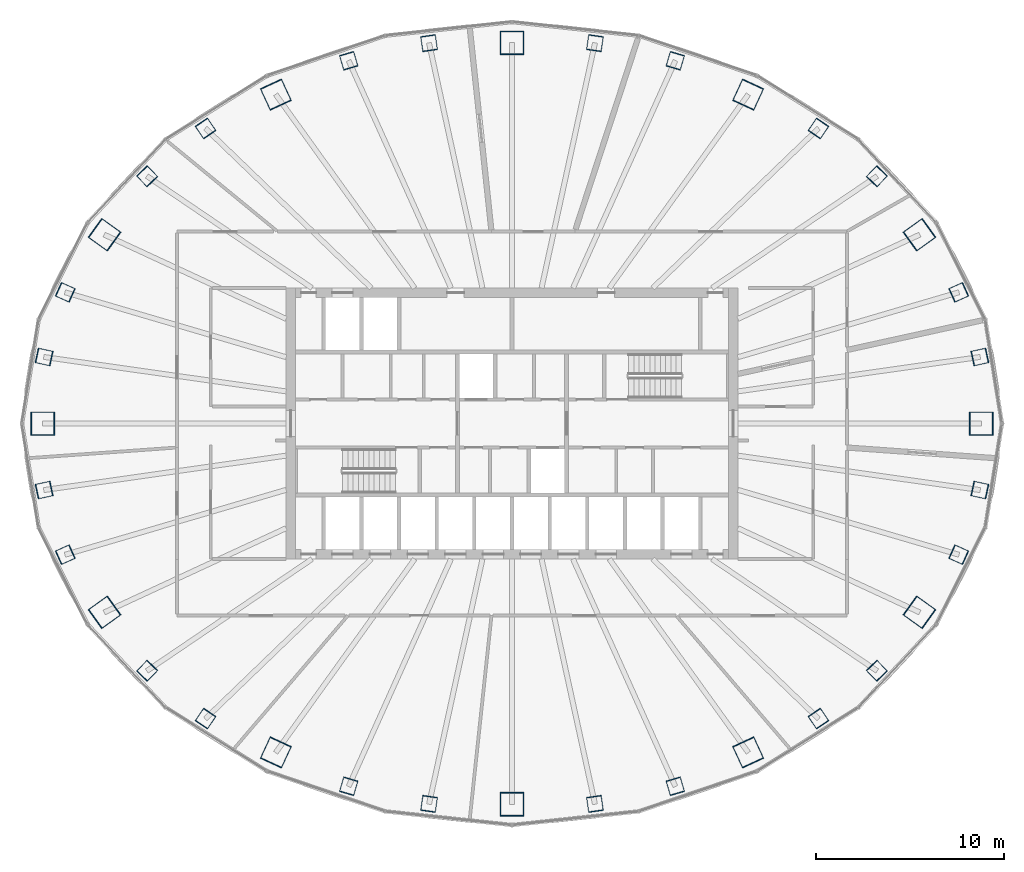
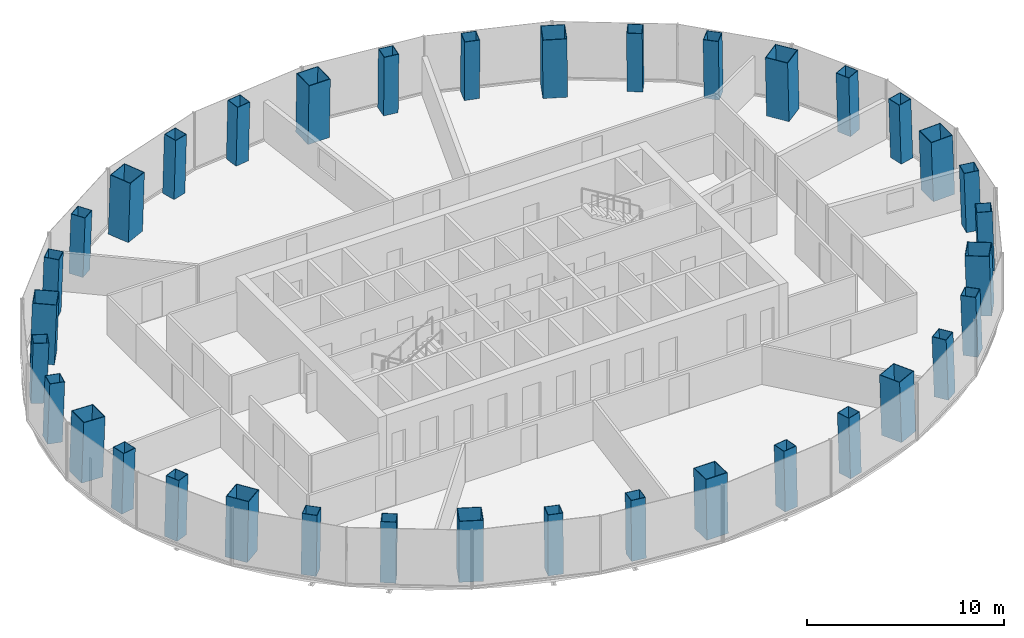
# One storey, part 1 of 12: 36 columns.
"""IFC4 building model written with IfcOpenShell, lengths in metres."""

from ifc_helpers import new_model, si_unit, direction, frame, origin, origin_2d, place, context, subcontext, project, spatial, hollow_rectangle, extrude, material, material_profile, profile_set, type_object, element, save


model = new_model("IFC4")

# Units and contexts
model_context = context("Model", 3, precision=1e-05, world=origin(), true_north=direction((0.0, 1.0)))
body_context = subcontext(model_context, "Body", "Model", "MODEL_VIEW")
ifc_project = project(units=[si_unit("LENGTHUNIT", "METRE"), si_unit("AREAUNIT", "SQUARE_METRE"), si_unit("VOLUMEUNIT", "CUBIC_METRE"), si_unit("PLANEANGLEUNIT", "RADIAN"), si_unit("MASSUNIT", "GRAM", prefix="KILO")], contexts=[model_context])

# Site, building, storey
site_placement = place(None, origin())
site = spatial("IfcSite", under=ifc_project, at=site_placement, CompositionType="ELEMENT")
building_placement = place(site_placement, origin())
building = spatial("IfcBuilding", under=site, at=building_placement, Name="Siaravel Broadcast Tower", CompositionType="ELEMENT")
storey_placement = place(building_placement, frame((0.0, 0.0, 100.800048828125)))
storey = spatial("IfcBuildingStorey", under=building, at=storey_placement, Name="L23", CompositionType="ELEMENT", Elevation=100.800048828125)

# Columns
ifc_material = material(Name="Concrete C60/75", Category="concrete")
ifc_material_profile_1 = material_profile(ifc_material, hollow_rectangle(XDim=1.25, YDim=1.25, WallThickness=0.031982421875, at=origin_2d()))
ifc_profile_set_1 = profile_set([ifc_material_profile_1], Name="Concrete C60/75")
column_type_1 = type_object("IfcColumnType", Name="COL-CFT BOX 1250x1250x32", PredefinedType="COLUMN", material=ifc_profile_set_1)
column_1_placement = place(storey_placement, frame((24.95361328125, 0.0, 0.0), z_axis=(-0.034621265, 0.0, 0.999400504), x_axis=(0.0, -1.0, 0.0)))
element("IfcColumn", 1, at=column_1_placement, inside=storey, type_object=column_type_1, Name="Megacolumn MC01", PredefinedType="COLUMN", context=body_context, shape_type="SweptSolid", body=[
    extrude(hollow_rectangle(XDim=1.25, YDim=1.25, WallThickness=0.031982421875, at=origin_2d()), origin(), (0.0, 0.0, 1.0), 3.7021484375),
])
column_2_placement = place(storey_placement, frame((21.663818359375, 10.03662109375, 0.0), z_axis=(-0.029940667, -0.01417895, 0.999451106), x_axis=(0.582895903, -0.812525165, 0.005934796)))
element("IfcColumn", 2, at=column_2_placement, inside=storey, type_object=column_type_1, Name="Megacolumn MC02", PredefinedType="COLUMN", context=body_context, shape_type="SweptSolid", body=[
    extrude(hollow_rectangle(XDim=1.25, YDim=1.25, WallThickness=0.031982421875, at=origin_2d()), origin(), (0.0, 0.0, 1.0), 3.701904296875),
])
column_3_placement = place(storey_placement, frame((12.556396484375, 17.4873046875, 0.0), z_axis=(-0.017280237, -0.024535299, 0.999549605), x_axis=(0.907825373, -0.41931362, 0.005401886)))
element("IfcColumn", 3, at=column_3_placement, inside=storey, type_object=column_type_1, Name="Megacolumn MC03", PredefinedType="COLUMN", context=body_context, shape_type="SweptSolid", body=[
    extrude(hollow_rectangle(XDim=1.25, YDim=1.25, WallThickness=0.031982421875, at=origin_2d()), origin(), (0.0, 0.0, 1.0), 3.70166015625),
])
column_4_placement = place(storey_placement, frame((0.0, 20.24072265625, 0.0), z_axis=(0.0, -0.028296154, 0.999599584), x_axis=(1.0, 0.0, 0.0)))
element("IfcColumn", 4, at=column_4_placement, inside=storey, type_object=column_type_1, Name="Megacolumn MC04", PredefinedType="COLUMN", context=body_context, shape_type="SweptSolid", body=[
    extrude(hollow_rectangle(XDim=1.25, YDim=1.25, WallThickness=0.031982421875, at=origin_2d()), origin(), (0.0, 0.0, 1.0), 3.701416015625),
])
column_5_placement = place(storey_placement, frame((-12.556396484375, 17.4873046875, 0.0), z_axis=(0.017280237, -0.024535299, 0.999549605), x_axis=(0.907825373, 0.41931362, -0.005401886)))
element("IfcColumn", 5, at=column_5_placement, inside=storey, type_object=column_type_1, Name="Megacolumn MC05", PredefinedType="COLUMN", context=body_context, shape_type="SweptSolid", body=[
    extrude(hollow_rectangle(XDim=1.25, YDim=1.25, WallThickness=0.031982421875, at=origin_2d()), origin(), (0.0, 0.0, 1.0), 3.70166015625),
])
column_6_placement = place(storey_placement, frame((-21.663818359375, 10.03662109375, 0.0), z_axis=(0.029940667, -0.01417895, 0.999451106), x_axis=(0.582895903, 0.812525165, -0.005934796)))
element("IfcColumn", 6, at=column_6_placement, inside=storey, type_object=column_type_1, Name="Megacolumn MC06", PredefinedType="COLUMN", context=body_context, shape_type="SweptSolid", body=[
    extrude(hollow_rectangle(XDim=1.25, YDim=1.25, WallThickness=0.031982421875, at=origin_2d()), origin(), (0.0, 0.0, 1.0), 3.701904296875),
])
column_7_placement = place(storey_placement, frame((-24.95361328125, 0.0, 0.0), z_axis=(0.034621265, 0.0, 0.999400504), x_axis=(0.0, 1.0, 0.0)))
element("IfcColumn", 7, at=column_7_placement, inside=storey, type_object=column_type_1, Name="Megacolumn MC07", PredefinedType="COLUMN", context=body_context, shape_type="SweptSolid", body=[
    extrude(hollow_rectangle(XDim=1.25, YDim=1.25, WallThickness=0.031982421875, at=origin_2d()), origin(), (0.0, 0.0, 1.0), 3.7021484375),
])
column_8_placement = place(storey_placement, frame((-21.663818359375, -10.03662109375, 0.0), z_axis=(0.029940667, 0.01417895, 0.999451106), x_axis=(-0.582895903, 0.812525165, 0.005934796)))
element("IfcColumn", 8, at=column_8_placement, inside=storey, type_object=column_type_1, Name="Megacolumn MC08", PredefinedType="COLUMN", context=body_context, shape_type="SweptSolid", body=[
    extrude(hollow_rectangle(XDim=1.25, YDim=1.25, WallThickness=0.031982421875, at=origin_2d()), origin(), (0.0, 0.0, 1.0), 3.701904296875),
])
column_9_placement = place(storey_placement, frame((-12.556396484375, -17.4873046875, 0.0), z_axis=(0.017280237, 0.024535299, 0.999549605), x_axis=(-0.907825373, 0.41931362, 0.005401886)))
element("IfcColumn", 9, at=column_9_placement, inside=storey, type_object=column_type_1, Name="Megacolumn MC09", PredefinedType="COLUMN", context=body_context, shape_type="SweptSolid", body=[
    extrude(hollow_rectangle(XDim=1.25, YDim=1.25, WallThickness=0.031982421875, at=origin_2d()), origin(), (0.0, 0.0, 1.0), 3.70166015625),
])
column_10_placement = place(storey_placement, frame((0.0, -20.24072265625, 0.0), z_axis=(0.0, 0.028296154, 0.999599584), x_axis=(-1.0, 0.0, 0.0)))
element("IfcColumn", 10, at=column_10_placement, inside=storey, type_object=column_type_1, Name="Megacolumn MC10", PredefinedType="COLUMN", context=body_context, shape_type="SweptSolid", body=[
    extrude(hollow_rectangle(XDim=1.25, YDim=1.25, WallThickness=0.031982421875, at=origin_2d()), origin(), (0.0, 0.0, 1.0), 3.701416015625),
])
column_11_placement = place(storey_placement, frame((12.556396484375, -17.4873046875, 0.0), z_axis=(-0.017280237, 0.024535299, 0.999549605), x_axis=(-0.907825373, -0.41931362, -0.005401886)))
element("IfcColumn", 11, at=column_11_placement, inside=storey, type_object=column_type_1, Name="Megacolumn MC11", PredefinedType="COLUMN", context=body_context, shape_type="SweptSolid", body=[
    extrude(hollow_rectangle(XDim=1.25, YDim=1.25, WallThickness=0.031982421875, at=origin_2d()), origin(), (0.0, 0.0, 1.0), 3.70166015625),
])
column_12_placement = place(storey_placement, frame((21.663818359375, -10.03662109375, 0.0), z_axis=(-0.029940667, 0.01417895, 0.999451106), x_axis=(-0.582895903, -0.812525165, -0.005934796)))
element("IfcColumn", 12, at=column_12_placement, inside=storey, type_object=column_type_1, Name="Megacolumn MC12", PredefinedType="COLUMN", context=body_context, shape_type="SweptSolid", body=[
    extrude(hollow_rectangle(XDim=1.25, YDim=1.25, WallThickness=0.031982421875, at=origin_2d()), origin(), (0.0, 0.0, 1.0), 3.701904296875),
])
ifc_material_profile_2 = material_profile(ifc_material, hollow_rectangle(XDim=0.800048828125, YDim=0.800048828125, WallThickness=0.02490234375, at=origin_2d()))
ifc_profile_set_2 = profile_set([ifc_material_profile_2], Name="Concrete C60/75")
column_type_2 = type_object("IfcColumnType", Name="COL-CFT BOX 800x800x25", PredefinedType="COLUMN", material=ifc_profile_set_2)
for number, where, z_axis, x_axis, name in (
    (13, (24.87548828125, 3.537353515625, 0.0), (-0.034028045, -0.004879991, 0.999408964), (0.211559616, -0.977362072, 0.002430879), "Perimeter column C01"),
    (14, (23.751220703125, 6.97412109375, 0.0), (-0.032511791, -0.009694185, 0.999424337), (0.409806125, -0.91216163, 0.004483448), "Perimeter column C02"),
):
    element("IfcColumn", number, at=place(storey_placement, frame(where, z_axis=z_axis, x_axis=x_axis)), inside=storey, type_object=column_type_2, Name=name, PredefinedType="COLUMN", context=body_context, shape_type="SweptSolid", body=[
        extrude(hollow_rectangle(XDim=0.800048828125, YDim=0.800048828125, WallThickness=0.02490234375, at=origin_2d()), origin(), (0.0, 0.0, 1.0), 3.7021484375),
    ])
column_13_placement = place(storey_placement, frame((19.3994140625, 13.14501953125, 0.0), z_axis=(-0.026512179, -0.018202391, 0.999482755), x_axis=(0.719753777, -0.69419947, 0.006449486)))
element("IfcColumn", 15, at=column_13_placement, inside=storey, type_object=column_type_2, Name="Perimeter column C03", PredefinedType="COLUMN", context=body_context, shape_type="SweptSolid", body=[
    extrude(hollow_rectangle(XDim=0.800048828125, YDim=0.800048828125, WallThickness=0.02490234375, at=origin_2d()), origin(), (0.0, 0.0, 1.0), 3.701904296875),
])
column_14_placement = place(storey_placement, frame((16.293701171875, 15.688720703125, 0.0), z_axis=(-0.022226156, -0.021698532, 0.999517469), x_axis=(0.827930298, -0.560796336, 0.00623626)))
element("IfcColumn", 16, at=column_14_placement, inside=storey, type_object=column_type_2, Name="Perimeter column C04", PredefinedType="COLUMN", context=body_context, shape_type="SweptSolid", body=[
    extrude(hollow_rectangle(XDim=0.800048828125, YDim=0.800048828125, WallThickness=0.02490234375, at=origin_2d()), origin(), (0.0, 0.0, 1.0), 3.70166015625),
])
for number, where, z_axis, x_axis, name in (
    (17, (8.682373046875, 19.287109375, 0.0), (-0.011872213, -0.026646524, 0.999574416), (0.959384038, -0.282076674, 0.003875299), "Perimeter column C05"),
    (18, (4.409912109375, 20.224853515625, 0.0), (-0.006068129, -0.027900201, 0.999592295), (0.989798926, -0.14245685, 0.002032481), "Perimeter column C06"),
    (19, (-4.409912109375, 20.224853515625, 0.0), (0.006068129, -0.027900201, 0.999592295), (0.989798926, 0.14245685, -0.002032481), "Perimeter column C07"),
    (20, (-8.682373046875, 19.287109375, 0.0), (0.011872213, -0.026646524, 0.999574416), (0.959384038, 0.282076674, -0.003875299), "Perimeter column C08"),
):
    element("IfcColumn", number, at=place(storey_placement, frame(where, z_axis=z_axis, x_axis=x_axis)), inside=storey, type_object=column_type_2, Name=name, PredefinedType="COLUMN", context=body_context, shape_type="SweptSolid", body=[
        extrude(hollow_rectangle(XDim=0.800048828125, YDim=0.800048828125, WallThickness=0.02490234375, at=origin_2d()), origin(), (0.0, 0.0, 1.0), 3.701416015625),
    ])
column_15_placement = place(storey_placement, frame((-16.293701171875, 15.688720703125, 0.0), z_axis=(0.022226156, -0.021698532, 0.999517469), x_axis=(0.827930298, 0.560796336, -0.00623626)))
element("IfcColumn", 21, at=column_15_placement, inside=storey, type_object=column_type_2, Name="Perimeter column C09", PredefinedType="COLUMN", context=body_context, shape_type="SweptSolid", body=[
    extrude(hollow_rectangle(XDim=0.800048828125, YDim=0.800048828125, WallThickness=0.02490234375, at=origin_2d()), origin(), (0.0, 0.0, 1.0), 3.70166015625),
])
column_16_placement = place(storey_placement, frame((-19.3994140625, 13.14501953125, 0.0), z_axis=(0.026512179, -0.018202391, 0.999482755), x_axis=(0.719753777, 0.69419947, -0.006449486)))
element("IfcColumn", 22, at=column_16_placement, inside=storey, type_object=column_type_2, Name="Perimeter column C10", PredefinedType="COLUMN", context=body_context, shape_type="SweptSolid", body=[
    extrude(hollow_rectangle(XDim=0.800048828125, YDim=0.800048828125, WallThickness=0.02490234375, at=origin_2d()), origin(), (0.0, 0.0, 1.0), 3.701904296875),
])
for number, where, z_axis, x_axis, name in (
    (23, (-23.751220703125, 6.97412109375, 0.0), (0.032511791, -0.009694185, 0.999424337), (0.409806125, 0.91216163, -0.004483448), "Perimeter column C11"),
    (24, (-24.87548828125, 3.537353515625, 0.0), (0.034028045, -0.004879991, 0.999408964), (0.211559616, 0.977362072, -0.002430879), "Perimeter column C12"),
    (25, (-24.87548828125, -3.537353515625, 0.0), (0.034028045, 0.004879991, 0.999408964), (-0.211559616, 0.977362072, 0.002430879), "Perimeter column C13"),
    (26, (-23.751220703125, -6.97412109375, 0.0), (0.032511791, 0.009694185, 0.999424337), (-0.409806125, 0.91216163, 0.004483448), "Perimeter column C14"),
):
    element("IfcColumn", number, at=place(storey_placement, frame(where, z_axis=z_axis, x_axis=x_axis)), inside=storey, type_object=column_type_2, Name=name, PredefinedType="COLUMN", context=body_context, shape_type="SweptSolid", body=[
        extrude(hollow_rectangle(XDim=0.800048828125, YDim=0.800048828125, WallThickness=0.02490234375, at=origin_2d()), origin(), (0.0, 0.0, 1.0), 3.7021484375),
    ])
column_17_placement = place(storey_placement, frame((-19.3994140625, -13.14501953125, 0.0), z_axis=(0.026512179, 0.018202391, 0.999482755), x_axis=(-0.719753777, 0.69419947, 0.006449486)))
element("IfcColumn", 27, at=column_17_placement, inside=storey, type_object=column_type_2, Name="Perimeter column C15", PredefinedType="COLUMN", context=body_context, shape_type="SweptSolid", body=[
    extrude(hollow_rectangle(XDim=0.800048828125, YDim=0.800048828125, WallThickness=0.02490234375, at=origin_2d()), origin(), (0.0, 0.0, 1.0), 3.701904296875),
])
column_18_placement = place(storey_placement, frame((-16.293701171875, -15.688720703125, 0.0), z_axis=(0.022226156, 0.021698532, 0.999517469), x_axis=(-0.827930298, 0.560796336, 0.00623626)))
element("IfcColumn", 28, at=column_18_placement, inside=storey, type_object=column_type_2, Name="Perimeter column C16", PredefinedType="COLUMN", context=body_context, shape_type="SweptSolid", body=[
    extrude(hollow_rectangle(XDim=0.800048828125, YDim=0.800048828125, WallThickness=0.02490234375, at=origin_2d()), origin(), (0.0, 0.0, 1.0), 3.70166015625),
])
for number, where, z_axis, x_axis, name in (
    (29, (-8.682373046875, -19.287109375, 0.0), (0.011872213, 0.026646524, 0.999574416), (-0.959384038, 0.282076674, 0.003875299), "Perimeter column C17"),
    (30, (-4.409912109375, -20.224853515625, 0.0), (0.006068129, 0.027900201, 0.999592295), (-0.989798926, 0.14245685, 0.002032481), "Perimeter column C18"),
    (31, (4.409912109375, -20.224853515625, 0.0), (-0.006068129, 0.027900201, 0.999592295), (-0.989798926, -0.14245685, -0.002032481), "Perimeter column C19"),
    (32, (8.682373046875, -19.287109375, 0.0), (-0.011872213, 0.026646524, 0.999574416), (-0.959384038, -0.282076674, -0.003875299), "Perimeter column C20"),
):
    element("IfcColumn", number, at=place(storey_placement, frame(where, z_axis=z_axis, x_axis=x_axis)), inside=storey, type_object=column_type_2, Name=name, PredefinedType="COLUMN", context=body_context, shape_type="SweptSolid", body=[
        extrude(hollow_rectangle(XDim=0.800048828125, YDim=0.800048828125, WallThickness=0.02490234375, at=origin_2d()), origin(), (0.0, 0.0, 1.0), 3.701416015625),
    ])
column_19_placement = place(storey_placement, frame((16.293701171875, -15.688720703125, 0.0), z_axis=(-0.022226156, 0.021698532, 0.999517469), x_axis=(-0.827930298, -0.560796336, -0.00623626)))
element("IfcColumn", 33, at=column_19_placement, inside=storey, type_object=column_type_2, Name="Perimeter column C21", PredefinedType="COLUMN", context=body_context, shape_type="SweptSolid", body=[
    extrude(hollow_rectangle(XDim=0.800048828125, YDim=0.800048828125, WallThickness=0.02490234375, at=origin_2d()), origin(), (0.0, 0.0, 1.0), 3.70166015625),
])
column_20_placement = place(storey_placement, frame((19.3994140625, -13.14501953125, 0.0), z_axis=(-0.026512179, 0.018202391, 0.999482755), x_axis=(-0.719753777, -0.69419947, -0.006449486)))
element("IfcColumn", 34, at=column_20_placement, inside=storey, type_object=column_type_2, Name="Perimeter column C22", PredefinedType="COLUMN", context=body_context, shape_type="SweptSolid", body=[
    extrude(hollow_rectangle(XDim=0.800048828125, YDim=0.800048828125, WallThickness=0.02490234375, at=origin_2d()), origin(), (0.0, 0.0, 1.0), 3.701904296875),
])
for number, where, z_axis, x_axis, name in (
    (35, (23.751220703125, -6.97412109375, 0.0), (-0.032511791, 0.009694185, 0.999424337), (-0.409806125, -0.91216163, -0.004483448), "Perimeter column C23"),
    (36, (24.87548828125, -3.537353515625, 0.0), (-0.034028045, 0.004879991, 0.999408964), (-0.211559616, -0.977362072, -0.002430879), "Perimeter column C24"),
):
    element("IfcColumn", number, at=place(storey_placement, frame(where, z_axis=z_axis, x_axis=x_axis)), inside=storey, type_object=column_type_2, Name=name, PredefinedType="COLUMN", context=body_context, shape_type="SweptSolid", body=[
        extrude(hollow_rectangle(XDim=0.800048828125, YDim=0.800048828125, WallThickness=0.02490234375, at=origin_2d()), origin(), (0.0, 0.0, 1.0), 3.7021484375),
    ])

save(model, "model.ifc")
